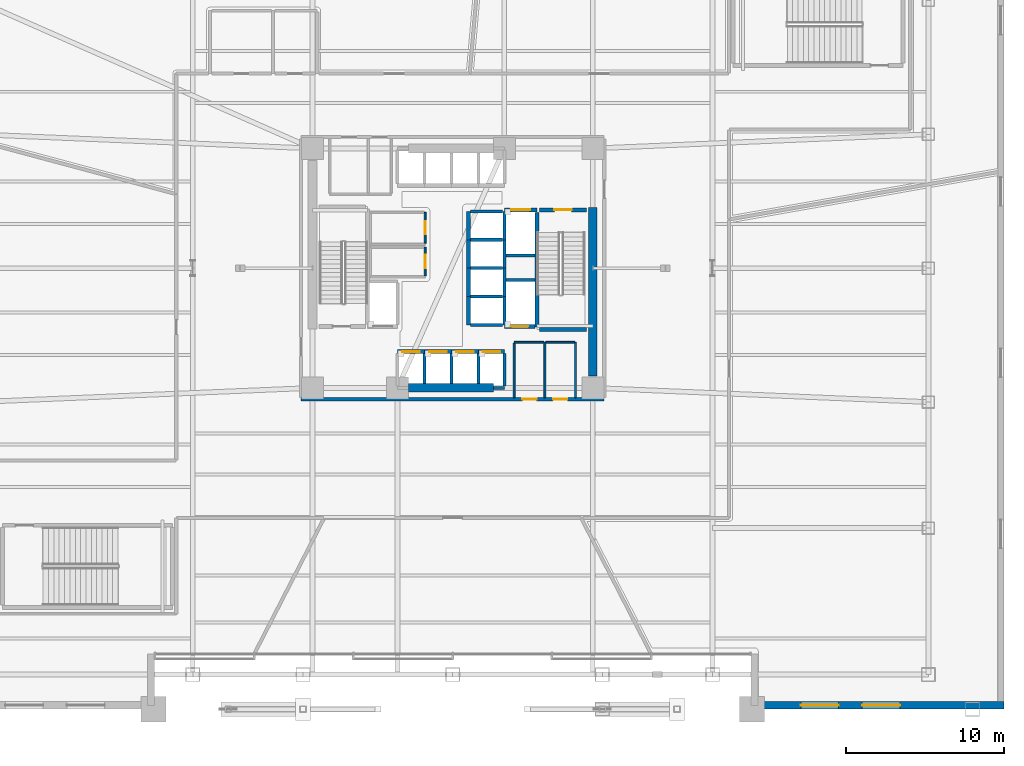
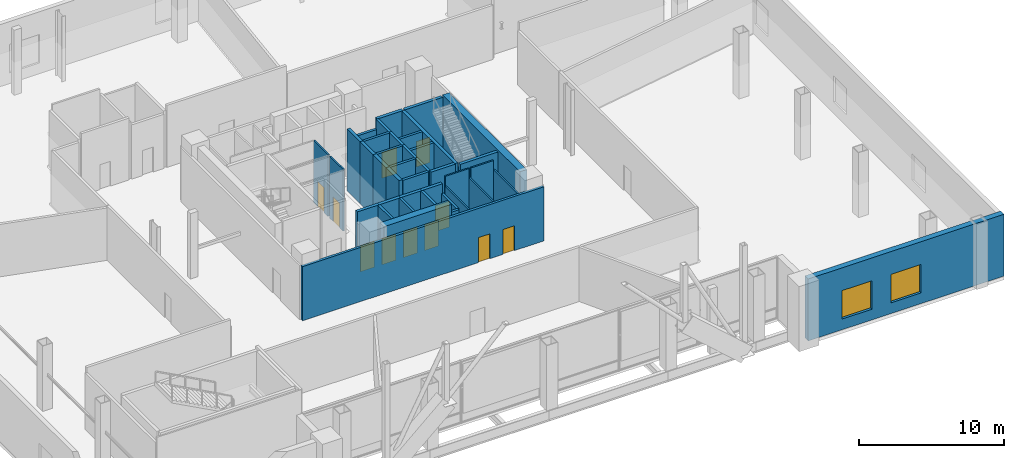
# One storey, part 9 of 16: 40 walls, 11 doors, 2 windows, 13 openings.
"""IFC4 building model written with IfcOpenShell, lengths in metres."""

from ifc_helpers import new_model, si_unit, direction, frame, frame_2d, origin, place, context, subcontext, project, spatial, rectangle, extrude, material, layer, layer_set, type_object, element, fill, save


model = new_model("IFC4")

# Units and contexts
model_context = context("Model", 3, precision=1e-05, world=origin(), true_north=direction((0.0, 1.0)))
body_context = subcontext(model_context, "Body", "Model", "MODEL_VIEW")
ifc_project = project(units=[si_unit("LENGTHUNIT", "METRE"), si_unit("AREAUNIT", "SQUARE_METRE"), si_unit("VOLUMEUNIT", "CUBIC_METRE"), si_unit("PLANEANGLEUNIT", "RADIAN"), si_unit("MASSUNIT", "GRAM", prefix="KILO")], contexts=[model_context])

# Site, building, storey
site_placement = place(None, origin())
site = spatial("IfcSite", under=ifc_project, at=site_placement, CompositionType="ELEMENT")
building_placement = place(site_placement, origin())
building = spatial("IfcBuilding", under=site, at=building_placement, Name="Tharavind Bronze Gate", CompositionType="ELEMENT")
storey_placement = place(building_placement, frame((0.0, 0.0, 5.5)))
storey = spatial("IfcBuildingStorey", under=building, at=storey_placement, Name="L01", CompositionType="ELEMENT", Elevation=5.5)

# Wall, openings, windows
ifc_material_1 = material(Name="Concrete C50/60", Category="concrete")
ifc_layer_1 = layer(ifc_material_1, 0.449951171875)
ifc_layer_set_1 = layer_set([ifc_layer_1], Name="Concrete C50/60")
wall_type_1 = type_object("IfcWallType", Name="EXTERIOR SPANDREL WALL 450", PredefinedType="STANDARD", material=ifc_layer_set_1)
wall_1_placement = place(storey_placement, frame((19.39990234375, -27.75, 0.0), z_axis=(0.0, 0.0, 1.0), x_axis=(1.0, 0.0, 0.0)))
wall_1 = element("IfcWall", 1, at=wall_1_placement, inside=storey, type_object=wall_type_1, Name="L01 south portal east flank wall", PredefinedType="STANDARD", context=body_context, shape_type="SweptSolid", body=[
    extrude(rectangle(XDim=15.60009765625, YDim=0.449951171875, at=frame_2d((7.800048828125, 0.0))), origin(), (0.0, 0.0, 1.0), 5.219970703125),
])
opening_1_placement = place(wall_1_placement, frame((2.699951171875, 0.0, 0.89990234375)))
opening_1 = element("IfcOpeningElement", 2, at=opening_1_placement, cuts=wall_1, Name="Opening W03", PredefinedType="OPENING", context=body_context, shape_type="SweptSolid", body=[
    extrude(rectangle(XDim=2.39990234375, YDim=2.39990234375, at=frame_2d((1.199951171875, 1.199951171875))), frame((0.0, 0.23509765625, 0.0), z_axis=(0.0, -1.0, 0.0), x_axis=(1.0, 0.0, 0.0)), (0.0, 0.0, 1.0), 0.469951171875),
])
opening_2_placement = place(wall_1_placement, frame((6.60009765625, 0.0, 0.89990234375)))
opening_2 = element("IfcOpeningElement", 3, at=opening_2_placement, cuts=wall_1, Name="Opening W03", PredefinedType="OPENING", context=body_context, shape_type="SweptSolid", body=[
    extrude(rectangle(XDim=2.39990234375, YDim=2.39990234375, at=frame_2d((1.199951171875, 1.199951171875))), frame((0.0, 0.23509765625, 0.0), z_axis=(0.0, -1.0, 0.0), x_axis=(1.0, 0.0, 0.0)), (0.0, 0.0, 1.0), 0.469951171875),
])
ifc_material_2 = material(Name="Bronze Aluminium & Low-E Glass", Category="aluminium")
window_type = type_object("IfcWindowType", Name="PODIUM RIBBON BRONZE WINDOW 2400X2400", PartitioningType="TRIPLE_PANEL_VERTICAL", PredefinedType="WINDOW", material=ifc_material_2)
window_1_placement = place(opening_1_placement, origin())
window_1 = element("IfcWindow", 4, at=window_1_placement, inside=storey, type_object=window_type, Name="L01 exterior window WL-L01-ARCHSR-01", OverallHeight=2.39990234375, OverallWidth=2.39990234375, PartitioningType="SINGLE_PANEL", PredefinedType="WINDOW", context=body_context, shape_type="SweptSolid", body=[
    extrude(rectangle(XDim=2.39990234375, YDim=2.39990234375, at=frame_2d((1.199951171875, 1.199951171875))), frame((0.0, 0.030029296875, 0.0), z_axis=(0.0, -1.0, 0.0), x_axis=(1.0, 0.0, 0.0)), (0.0, 0.0, 1.0), 0.06005859375),
])
fill(opening_1, window_1)
window_2_placement = place(opening_2_placement, origin())
window_2 = element("IfcWindow", 5, at=window_2_placement, inside=storey, type_object=window_type, Name="L01 exterior window WL-L01-ARCHSR-02", OverallHeight=2.39990234375, OverallWidth=2.39990234375, PartitioningType="SINGLE_PANEL", PredefinedType="WINDOW", context=body_context, shape_type="SweptSolid", body=[
    extrude(rectangle(XDim=2.39990234375, YDim=2.39990234375, at=frame_2d((1.199951171875, 1.199951171875))), frame((0.0, 0.030029296875, 0.0), z_axis=(0.0, -1.0, 0.0), x_axis=(1.0, 0.0, 0.0)), (0.0, 0.0, 1.0), 0.06005859375),
])
fill(opening_2, window_2)

# Wall, openings, doors
ifc_material_3 = material(Name="Aerated Concrete Block", Category="concrete")
ifc_layer_2 = layer(ifc_material_3, 0.199951171875)
ifc_layer_set_2 = layer_set([ifc_layer_2], Name="Aerated Concrete Block")
wall_type_2 = type_object("IfcWallType", Name="FIRE RATED PARTITION 200", PredefinedType="PARTITIONING", material=ifc_layer_set_2)
wall_2_placement = place(storey_placement, frame((-9.6201171875, -8.320068359375, 0.0), z_axis=(0.0, 0.0, 1.0), x_axis=(1.0, 0.0, 0.0)))
wall_2 = element("IfcWall", 6, at=wall_2_placement, inside=storey, type_object=wall_type_2, Name="L01 south core corridor wall", PredefinedType="PARTITIONING", context=body_context, shape_type="SweptSolid", body=[
    extrude(rectangle(XDim=19.240234375, YDim=0.199951171875, at=frame_2d((9.6201171875, 0.0))), origin(), (0.0, 0.0, 1.0), 4.56494140625),
])
opening_3_placement = place(wall_2_placement, frame((14.044921875, 0.0, 0.0)))
opening_3 = element("IfcOpeningElement", 7, at=opening_3_placement, cuts=wall_2, Name="Opening ID07", PredefinedType="OPENING", context=body_context, shape_type="SweptSolid", body=[
    extrude(rectangle(XDim=0.89990234375, YDim=2.10009765625, at=frame_2d((0.449951171875, 1.050048828125))), frame((0.0, 0.11009765625, 0.0), z_axis=(0.0, -1.0, 0.0), x_axis=(1.0, 0.0, 0.0)), (0.0, 0.0, 1.0), 0.219951171875),
])
opening_4_placement = place(wall_2_placement, frame((15.9951171875, 0.0, 0.0)))
opening_4 = element("IfcOpeningElement", 8, at=opening_4_placement, cuts=wall_2, Name="Opening ID07", PredefinedType="OPENING", context=body_context, shape_type="SweptSolid", body=[
    extrude(rectangle(XDim=0.89990234375, YDim=2.10009765625, at=frame_2d((0.449951171875, 1.050048828125))), frame((0.0, 0.11009765625, 0.0), z_axis=(0.0, -1.0, 0.0), x_axis=(1.0, 0.0, 0.0)), (0.0, 0.0, 1.0), 0.219951171875),
])
ifc_material_4 = material(Name="Galvanised Fire Steel", Category="steel")
door_type_1 = type_object("IfcDoorType", Name="PLANT AND RISER FIRE DOOR 900X2100", OperationType="SINGLE_SWING_LEFT", PredefinedType="DOOR", material=ifc_material_4)
door_1_placement = place(opening_3_placement, origin())
door_1 = element("IfcDoor", 9, at=door_1_placement, inside=storey, type_object=door_type_1, Name="L01 Comms Patch Room fire door", OperationType="SINGLE_SWING_LEFT", OverallHeight=2.10009765625, OverallWidth=0.89990234375, PredefinedType="DOOR", context=body_context, shape_type="SweptSolid", body=[
    extrude(rectangle(XDim=0.89990234375, YDim=2.10009765625, at=frame_2d((0.449951171875, 1.050048828125))), frame((0.0, 0.02490234375, 0.0), z_axis=(0.0, -1.0, 0.0), x_axis=(1.0, 0.0, 0.0)), (0.0, 0.0, 1.0), 0.050048828125),
])
fill(opening_3, door_1)
door_2_placement = place(opening_4_placement, origin())
door_2 = element("IfcDoor", 10, at=door_2_placement, inside=storey, type_object=door_type_1, Name="L01 Housekeeping Store fire door", OperationType="SINGLE_SWING_LEFT", OverallHeight=2.10009765625, OverallWidth=0.89990234375, PredefinedType="DOOR", context=body_context, shape_type="SweptSolid", body=[
    extrude(rectangle(XDim=0.89990234375, YDim=2.10009765625, at=frame_2d((0.449951171875, 1.050048828125))), frame((0.0, 0.02490234375, 0.0), z_axis=(0.0, -1.0, 0.0), x_axis=(1.0, 0.0, 0.0)), (0.0, 0.0, 1.0), 0.050048828125),
])
fill(opening_4, door_2)

# Wall, opening, door
ifc_material_5 = material(Name="Metal Stud Gypsum Partition", Category="gypsum")
ifc_layer_3 = layer(ifc_material_5, 0.1201171875)
ifc_layer_set_3 = layer_set([ifc_layer_3], Name="Metal Stud Gypsum Partition")
wall_type_3 = type_object("IfcWallType", Name="INTERIOR PARTITION WALL 120", PredefinedType="PARTITIONING", material=ifc_layer_set_3)
wall_3_placement = place(storey_placement, frame((-1.75, 1.5849609375, 0.0), z_axis=(0.0, 0.0, 1.0), x_axis=(0.0, 1.0, 0.0)))
wall_3 = element("IfcWall", 11, at=wall_3_placement, inside=storey, type_object=wall_type_3, Name="L01 Cleaner Store Room partition 2", PredefinedType="PARTITIONING", context=body_context, shape_type="SweptSolid", body=[
    extrude(rectangle(XDim=1.965087890625, YDim=0.1201171875, at=frame_2d((0.982421875, 0.0))), origin(), (0.0, 0.0, 1.0), 5.219970703125),
])
opening_5_placement = place(wall_3_placement, frame((0.556884765625, 0.0, 0.0)))
opening_5 = element("IfcOpeningElement", 12, at=opening_5_placement, cuts=wall_3, Name="Opening ID06", PredefinedType="OPENING", context=body_context, shape_type="SweptSolid", body=[
    extrude(rectangle(XDim=0.85009765625, YDim=2.10009765625, at=frame_2d((0.425048828125, 1.050048828125))), frame((0.0, 0.07005859375, 0.0), z_axis=(0.0, -1.0, 0.0), x_axis=(1.0, 0.0, 0.0)), (0.0, 0.0, 1.0), 0.1401171875),
])
ifc_material_6 = material(Name="Moisture-Resistant Timber", Category="wood")
door_type_2 = type_object("IfcDoorType", Name="BATHROOM PRIVACY DOOR 850X2100", OperationType="SINGLE_SWING_RIGHT", PredefinedType="DOOR", material=ifc_material_6)
door_3_placement = place(opening_5_placement, frame((0.85009765625, 0.0, 0.0), z_axis=(0.0, 0.0, 1.0), x_axis=(-1.0, 0.0, 0.0)))
door_3 = element("IfcDoor", 13, at=door_3_placement, inside=storey, type_object=door_type_2, Name="L01 Cleaner Store Room door", OperationType="SINGLE_SWING_RIGHT", OverallHeight=2.10009765625, OverallWidth=0.85009765625, PredefinedType="DOOR", context=body_context, shape_type="SweptSolid", body=[
    extrude(rectangle(XDim=0.85009765625, YDim=2.10009765625, at=frame_2d((0.425048828125, 1.050048828125))), frame((0.0, 0.02490234375, 0.0), z_axis=(0.0, -1.0, 0.0), x_axis=(1.0, 0.0, 0.0)), (0.0, 0.0, 1.0), 0.050048828125),
])
fill(opening_5, door_3)

wall_4_placement = place(storey_placement, frame((-1.75, -0.485107421875, 0.0), z_axis=(0.0, 0.0, 1.0), x_axis=(0.0, 1.0, 0.0)))
wall_4 = element("IfcWall", 14, at=wall_4_placement, inside=storey, type_object=wall_type_3, Name="L01 Electrical Switch Room partition 2", PredefinedType="PARTITIONING", context=body_context, shape_type="SweptSolid", body=[
    extrude(rectangle(XDim=1.8251953125, YDim=0.1201171875, at=frame_2d((0.91259765625, 0.0))), origin(), (0.0, 0.0, 1.0), 5.219970703125),
])
opening_6_placement = place(wall_4_placement, frame((0.488037109375, 0.0, 0.0)))
opening_6 = element("IfcOpeningElement", 15, at=opening_6_placement, cuts=wall_4, Name="Opening ID06", PredefinedType="OPENING", context=body_context, shape_type="SweptSolid", body=[
    extrude(rectangle(XDim=0.85009765625, YDim=2.10009765625, at=frame_2d((0.425048828125, 1.050048828125))), frame((0.0, 0.07005859375, 0.0), z_axis=(0.0, -1.0, 0.0), x_axis=(1.0, 0.0, 0.0)), (0.0, 0.0, 1.0), 0.1401171875),
])
door_4_placement = place(opening_6_placement, frame((0.85009765625, 0.0, 0.0), z_axis=(0.0, 0.0, 1.0), x_axis=(-1.0, 0.0, 0.0)))
door_4 = element("IfcDoor", 16, at=door_4_placement, inside=storey, type_object=door_type_2, Name="L01 Electrical Switch Room door", OperationType="SINGLE_SWING_RIGHT", OverallHeight=2.10009765625, OverallWidth=0.85009765625, PredefinedType="DOOR", context=body_context, shape_type="SweptSolid", body=[
    extrude(rectangle(XDim=0.85009765625, YDim=2.10009765625, at=frame_2d((0.425048828125, 1.050048828125))), frame((0.0, 0.02490234375, 0.0), z_axis=(0.0, -1.0, 0.0), x_axis=(1.0, 0.0, 0.0)), (0.0, 0.0, 1.0), 0.050048828125),
])
fill(opening_6, door_4)

# Walls
wall_5_placement = place(storey_placement, frame((5.85009765625, -8.215087890625, 0.0), z_axis=(0.0, 0.0, 1.0), x_axis=(0.0, 1.0, 0.0)))
element("IfcWall", 17, at=wall_5_placement, inside=storey, type_object=wall_type_3, Name="L01 Comms Patch Room partition 2", PredefinedType="PARTITIONING", context=body_context, shape_type="SweptSolid", body=[
    extrude(rectangle(XDim=3.51513671875, YDim=0.1201171875, at=frame_2d((1.757568359375, 0.0))), origin(), (0.0, 0.0, 1.0), 4.4150390625),
])
wall_6_placement = place(storey_placement, frame((5.784912109375, -4.699951171875, 0.0), z_axis=(0.0, 0.0, 1.0), x_axis=(-1.0, 0.0, 0.0)))
element("IfcWall", 18, at=wall_6_placement, inside=storey, type_object=wall_type_3, Name="L01 Comms Patch Room partition 3", PredefinedType="PARTITIONING", context=body_context, shape_type="SweptSolid", body=[
    extrude(rectangle(XDim=1.885009765625, YDim=0.1201171875, at=frame_2d((0.9423828125, 0.0))), origin(), (0.0, 0.0, 1.0), 5.219970703125),
])
wall_7_placement = place(storey_placement, frame((3.89990234375, -4.764892578125, 0.0), z_axis=(0.0, 0.0, 1.0), x_axis=(0.0, -1.0, 0.0)))
element("IfcWall", 19, at=wall_7_placement, inside=storey, type_object=wall_type_3, Name="L01 Comms Patch Room partition 4", PredefinedType="PARTITIONING", context=body_context, shape_type="SweptSolid", body=[
    extrude(rectangle(XDim=3.4501953125, YDim=0.1201171875, at=frame_2d((1.72509765625, 0.0))), origin(), (0.0, 0.0, 1.0), 4.4150390625),
])
wall_8_placement = place(storey_placement, frame((7.800048828125, -8.215087890625, 0.0), z_axis=(0.0, 0.0, 1.0), x_axis=(0.0, 1.0, 0.0)))
element("IfcWall", 20, at=wall_8_placement, inside=storey, type_object=wall_type_3, Name="L01 Housekeeping Store partition 2", PredefinedType="PARTITIONING", context=body_context, shape_type="SweptSolid", body=[
    extrude(rectangle(XDim=3.51513671875, YDim=0.1201171875, at=frame_2d((1.757568359375, 0.0))), origin(), (0.0, 0.0, 1.0), 4.4150390625),
])
wall_9_placement = place(storey_placement, frame((7.735107421875, -4.699951171875, 0.0), z_axis=(0.0, 0.0, 1.0), x_axis=(-1.0, 0.0, 0.0)))
element("IfcWall", 21, at=wall_9_placement, inside=storey, type_object=wall_type_3, Name="L01 Housekeeping Store partition 3", PredefinedType="PARTITIONING", context=body_context, shape_type="SweptSolid", body=[
    extrude(rectangle(XDim=1.820068359375, YDim=0.1201171875, at=frame_2d((0.91015625, 0.0))), origin(), (0.0, 0.0, 1.0), 5.219970703125),
])
ifc_layer_4 = layer(ifc_material_1, 0.25)
ifc_layer_set_4 = layer_set([ifc_layer_4], Name="Concrete C50/60")
wall_type_4 = type_object("IfcWallType", Name="RC CORE SHEAR WALL 250", PredefinedType="SHEAR", material=ifc_layer_set_4)
wall_10_placement = place(storey_placement, frame((5.35009765625, -3.75, 0.0), z_axis=(0.0, 0.0, 1.0), x_axis=(0.0, 1.0, 0.0)))
element("IfcWall", 22, at=wall_10_placement, inside=storey, type_object=wall_type_4, Name="L01 ST2 shaft west wall", PredefinedType="SHEAR", context=body_context, shape_type="SweptSolid", body=[
    extrude(rectangle(XDim=7.300048828125, YDim=0.25, at=frame_2d((3.64990234375, 0.0))), origin(), (0.0, 0.0, 1.0), 5.219970703125),
])

# Wall, opening, door
wall_11_placement = place(storey_placement, frame((5.5, 3.699951171875, 0.0), z_axis=(0.0, 0.0, 1.0), x_axis=(1.0, 0.0, 0.0)))
wall_11 = element("IfcWall", 23, at=wall_11_placement, inside=storey, type_object=wall_type_4, Name="L01 ST2 shaft north wall", PredefinedType="SHEAR", context=body_context, shape_type="SweptSolid", body=[
    extrude(rectangle(XDim=3.0, YDim=0.25, at=frame_2d((1.5, 0.0))), origin(), (0.0, 0.0, 1.0), 5.219970703125),
])
opening_7_placement = place(wall_11_placement, frame((0.949951171875, 0.0, 0.0)))
opening_7 = element("IfcOpeningElement", 24, at=opening_7_placement, cuts=wall_11, Name="Opening ID01", PredefinedType="OPENING", context=body_context, shape_type="SweptSolid", body=[
    extrude(rectangle(XDim=1.10009765625, YDim=2.14990234375, at=frame_2d((0.550048828125, 1.074951171875))), frame((0.0, 0.135, 0.0), z_axis=(0.0, -1.0, 0.0), x_axis=(1.0, 0.0, 0.0)), (0.0, 0.0, 1.0), 0.27),
])
ifc_material_7 = material(Name="Fire-Rated Steel", Category="steel")
door_type_3 = type_object("IfcDoorType", Name="STAIR CORE FIRE DOOR 1100X2150", OperationType="SINGLE_SWING_LEFT", PredefinedType="DOOR", material=ifc_material_7)
door_5_placement = place(opening_7_placement, frame((1.10009765625, 0.0, 0.0), z_axis=(0.0, 0.0, 1.0), x_axis=(-1.0, 0.0, 0.0)))
door_5 = element("IfcDoor", 25, at=door_5_placement, inside=storey, type_object=door_type_3, Name="L01 exit stair ST2 fire door", OperationType="SINGLE_SWING_LEFT", OverallHeight=2.14990234375, OverallWidth=1.10009765625, PredefinedType="DOOR", context=body_context, shape_type="SweptSolid", body=[
    extrude(rectangle(XDim=1.10009765625, YDim=2.14990234375, at=frame_2d((0.550048828125, 1.074951171875))), frame((0.0, 0.02490234375, 0.0), z_axis=(0.0, -1.0, 0.0), x_axis=(1.0, 0.0, 0.0)), (0.0, 0.0, 1.0), 0.050048828125),
])
fill(opening_7, door_5)

# Wall
wall_12_placement = place(storey_placement, frame((5.5, -3.89990234375, 0.0), z_axis=(0.0, 0.0, 1.0), x_axis=(1.0, 0.0, 0.0)))
element("IfcWall", 26, at=wall_12_placement, inside=storey, type_object=wall_type_4, Name="L01 ST2 shaft south wall", PredefinedType="SHEAR", context=body_context, shape_type="SweptSolid", body=[
    extrude(rectangle(XDim=3.0, YDim=0.25, at=frame_2d((1.5, 0.0))), origin(), (0.0, 0.0, 1.0), 5.219970703125),
])

# Wall, opening, door
wall_13_placement = place(storey_placement, frame((-3.5, -5.300048828125, 0.0), z_axis=(0.0, 0.0, 1.0), x_axis=(1.0, 0.0, 0.0)))
wall_13 = element("IfcWall", 27, at=wall_13_placement, inside=storey, type_object=wall_type_4, Name="L01 lift PL1 shaft front wall", PredefinedType="SHEAR", context=body_context, shape_type="SweptSolid", body=[
    extrude(rectangle(XDim=1.71240234375, YDim=0.25, at=frame_2d((0.856201171875, 0.0))), origin(), (0.0, 0.0, 1.0), 5.219970703125),
])
opening_8_placement = place(wall_13_placement, frame((0.305908203125, 0.0, 0.0)))
opening_8 = element("IfcOpeningElement", 28, at=opening_8_placement, cuts=wall_13, Name="Opening LD01", PredefinedType="OPENING", context=body_context, shape_type="SweptSolid", body=[
    extrude(rectangle(XDim=1.10009765625, YDim=2.199951171875, at=frame_2d((0.550048828125, 1.10009765625))), frame((0.0, 0.135, 0.0), z_axis=(0.0, -1.0, 0.0), x_axis=(1.0, 0.0, 0.0)), (0.0, 0.0, 1.0), 0.27),
])
ifc_material_8 = material(Name="Brushed Bronze Stainless Steel", Category="steel")
door_type_4 = type_object("IfcDoorType", Name="LIFT LANDING SLIDING DOOR 1100X2200", OperationType="SLIDING_TO_LEFT", PredefinedType="DOOR", material=ifc_material_8)
door_6_placement = place(opening_8_placement, origin())
door_6 = element("IfcDoor", 29, at=door_6_placement, inside=storey, type_object=door_type_4, Name="L01 lift PL1 sliding landing door", OperationType="SLIDING_TO_LEFT", OverallHeight=2.199951171875, OverallWidth=1.10009765625, PredefinedType="DOOR", context=body_context, shape_type="SweptSolid", body=[
    extrude(rectangle(XDim=1.10009765625, YDim=2.199951171875, at=frame_2d((0.550048828125, 1.10009765625))), frame((0.0, 0.02490234375, 0.0), z_axis=(0.0, -1.0, 0.0), x_axis=(1.0, 0.0, 0.0)), (0.0, 0.0, 1.0), 0.050048828125),
])
fill(opening_8, door_6)

wall_14_placement = place(storey_placement, frame((-1.78759765625, -5.300048828125, 0.0), z_axis=(0.0, 0.0, 1.0), x_axis=(1.0, 0.0, 0.0)))
wall_14 = element("IfcWall", 30, at=wall_14_placement, inside=storey, type_object=wall_type_4, Name="L01 lift PL2 shaft front wall", PredefinedType="SHEAR", context=body_context, shape_type="SweptSolid", body=[
    extrude(rectangle(XDim=1.712646484375, YDim=0.25, at=frame_2d((0.8564453125, 0.0))), origin(), (0.0, 0.0, 1.0), 5.219970703125),
])
opening_9_placement = place(wall_14_placement, frame((0.305908203125, 0.0, 0.0)))
opening_9 = element("IfcOpeningElement", 31, at=opening_9_placement, cuts=wall_14, Name="Opening LD01", PredefinedType="OPENING", context=body_context, shape_type="SweptSolid", body=[
    extrude(rectangle(XDim=1.10009765625, YDim=2.199951171875, at=frame_2d((0.550048828125, 1.10009765625))), frame((0.0, 0.135, 0.0), z_axis=(0.0, -1.0, 0.0), x_axis=(1.0, 0.0, 0.0)), (0.0, 0.0, 1.0), 0.27),
])
door_7_placement = place(opening_9_placement, origin())
door_7 = element("IfcDoor", 32, at=door_7_placement, inside=storey, type_object=door_type_4, Name="L01 lift PL2 sliding landing door", OperationType="SLIDING_TO_LEFT", OverallHeight=2.199951171875, OverallWidth=1.10009765625, PredefinedType="DOOR", context=body_context, shape_type="SweptSolid", body=[
    extrude(rectangle(XDim=1.10009765625, YDim=2.199951171875, at=frame_2d((0.550048828125, 1.10009765625))), frame((0.0, 0.02490234375, 0.0), z_axis=(0.0, -1.0, 0.0), x_axis=(1.0, 0.0, 0.0)), (0.0, 0.0, 1.0), 0.050048828125),
])
fill(opening_9, door_7)

wall_15_placement = place(storey_placement, frame((-0.074951171875, -5.300048828125, 0.0), z_axis=(0.0, 0.0, 1.0), x_axis=(1.0, 0.0, 0.0)))
wall_15 = element("IfcWall", 33, at=wall_15_placement, inside=storey, type_object=wall_type_4, Name="L01 lift PL3 shaft front wall", PredefinedType="SHEAR", context=body_context, shape_type="SweptSolid", body=[
    extrude(rectangle(XDim=1.71240234375, YDim=0.25, at=frame_2d((0.856201171875, 0.0))), origin(), (0.0, 0.0, 1.0), 5.219970703125),
])
opening_10_placement = place(wall_15_placement, frame((0.305908203125, 0.0, 0.0)))
opening_10 = element("IfcOpeningElement", 34, at=opening_10_placement, cuts=wall_15, Name="Opening LD01", PredefinedType="OPENING", context=body_context, shape_type="SweptSolid", body=[
    extrude(rectangle(XDim=1.10009765625, YDim=2.199951171875, at=frame_2d((0.550048828125, 1.10009765625))), frame((0.0, 0.135, 0.0), z_axis=(0.0, -1.0, 0.0), x_axis=(1.0, 0.0, 0.0)), (0.0, 0.0, 1.0), 0.27),
])
door_8_placement = place(opening_10_placement, origin())
door_8 = element("IfcDoor", 35, at=door_8_placement, inside=storey, type_object=door_type_4, Name="L01 lift PL3 sliding landing door", OperationType="SLIDING_TO_LEFT", OverallHeight=2.199951171875, OverallWidth=1.10009765625, PredefinedType="DOOR", context=body_context, shape_type="SweptSolid", body=[
    extrude(rectangle(XDim=1.10009765625, YDim=2.199951171875, at=frame_2d((0.550048828125, 1.10009765625))), frame((0.0, 0.02490234375, 0.0), z_axis=(0.0, -1.0, 0.0), x_axis=(1.0, 0.0, 0.0)), (0.0, 0.0, 1.0), 0.050048828125),
])
fill(opening_10, door_8)

wall_16_placement = place(storey_placement, frame((1.637451171875, -5.300048828125, 0.0), z_axis=(0.0, 0.0, 1.0), x_axis=(1.0, 0.0, 0.0)))
wall_16 = element("IfcWall", 36, at=wall_16_placement, inside=storey, type_object=wall_type_4, Name="L01 lift PL4 shaft front wall", PredefinedType="SHEAR", context=body_context, shape_type="SweptSolid", body=[
    extrude(rectangle(XDim=1.642578125, YDim=0.25, at=frame_2d((0.8212890625, 0.0))), origin(), (0.0, 0.0, 1.0), 5.219970703125),
])
opening_11_placement = place(wall_16_placement, frame((0.27099609375, 0.0, 0.0)))
opening_11 = element("IfcOpeningElement", 37, at=opening_11_placement, cuts=wall_16, Name="Opening LD01", PredefinedType="OPENING", context=body_context, shape_type="SweptSolid", body=[
    extrude(rectangle(XDim=1.10009765625, YDim=2.199951171875, at=frame_2d((0.550048828125, 1.10009765625))), frame((0.0, 0.135, 0.0), z_axis=(0.0, -1.0, 0.0), x_axis=(1.0, 0.0, 0.0)), (0.0, 0.0, 1.0), 0.27),
])
door_9_placement = place(opening_11_placement, origin())
door_9 = element("IfcDoor", 38, at=door_9_placement, inside=storey, type_object=door_type_4, Name="L01 lift PL4 sliding landing door", OperationType="SLIDING_TO_LEFT", OverallHeight=2.199951171875, OverallWidth=1.10009765625, PredefinedType="DOOR", context=body_context, shape_type="SweptSolid", body=[
    extrude(rectangle(XDim=1.10009765625, YDim=2.199951171875, at=frame_2d((0.550048828125, 1.10009765625))), frame((0.0, 0.02490234375, 0.0), z_axis=(0.0, -1.0, 0.0), x_axis=(1.0, 0.0, 0.0)), (0.0, 0.0, 1.0), 0.050048828125),
])
fill(opening_11, door_9)

# Walls
for number, where, z_axis, x_axis, name in (
    (39, (1.0, -3.60009765625, 0.0), (0.0, 0.0, 1.0), (0.0, 1.0, 0.0), "L01 lift PL9 shaft front wall"),
    (40, (1.0, -1.800048828125, 0.0), (0.0, 0.0, 1.0), (0.0, 1.0, 0.0), "L01 lift PL10 shaft front wall"),
    (41, (1.0, 0.0, 0.0), (0.0, 0.0, 1.0), (0.0, 1.0, 0.0), "L01 lift PL11 shaft front wall"),
    (42, (1.0, 1.800048828125, 0.0), (0.0, 0.0, 1.0), (0.0, 1.0, 0.0), "L01 lift PL12 shaft front wall"),
):
    element("IfcWall", number, at=place(storey_placement, frame(where, z_axis=z_axis, x_axis=x_axis)), inside=storey, type_object=wall_type_4, Name=name, PredefinedType="SHEAR", context=body_context, shape_type="SweptSolid", body=[
        extrude(rectangle(XDim=1.800048828125, YDim=0.25, at=frame_2d((0.89990234375, 0.0))), origin(), (0.0, 0.0, 1.0), 5.219970703125),
    ])

# Wall, opening, door
wall_17_placement = place(storey_placement, frame((3.280029296875, 3.699951171875, 0.0), z_axis=(0.0, 0.0, 1.0), x_axis=(1.0, 0.0, 0.0)))
wall_17 = element("IfcWall", 43, at=wall_17_placement, inside=storey, type_object=wall_type_4, Name="L01 lift FFL2 shaft front wall", PredefinedType="SHEAR", context=body_context, shape_type="SweptSolid", body=[
    extrude(rectangle(XDim=2.070068359375, YDim=0.25, at=frame_2d((1.03515625, 0.0))), origin(), (0.0, 0.0, 1.0), 5.219970703125),
])
opening_12_placement = place(wall_17_placement, frame((0.43505859375, 0.0, 0.0)))
opening_12 = element("IfcOpeningElement", 44, at=opening_12_placement, cuts=wall_17, Name="Opening LD02", PredefinedType="OPENING", context=body_context, shape_type="SweptSolid", body=[
    extrude(rectangle(XDim=1.199951171875, YDim=2.199951171875, at=frame_2d((0.60009765625, 1.10009765625))), frame((0.0, 0.135, 0.0), z_axis=(0.0, -1.0, 0.0), x_axis=(1.0, 0.0, 0.0)), (0.0, 0.0, 1.0), 0.27),
])
ifc_material_9 = material(Name="Brushed Stainless Steel", Category="steel")
door_type_5 = type_object("IfcDoorType", Name="FIREFIGHTING LIFT LANDING DOOR 1200X2200", OperationType="SLIDING_TO_RIGHT", PredefinedType="DOOR", material=ifc_material_9)
door_10_placement = place(opening_12_placement, origin())
door_10 = element("IfcDoor", 45, at=door_10_placement, inside=storey, type_object=door_type_5, Name="L01 lift FFL2 sliding landing door", OperationType="SLIDING_TO_RIGHT", OverallHeight=2.199951171875, OverallWidth=1.199951171875, PredefinedType="DOOR", context=body_context, shape_type="SweptSolid", body=[
    extrude(rectangle(XDim=1.199951171875, YDim=2.199951171875, at=frame_2d((0.60009765625, 1.10009765625))), frame((0.0, 0.02490234375, 0.0), z_axis=(0.0, -1.0, 0.0), x_axis=(1.0, 0.0, 0.0)), (0.0, 0.0, 1.0), 0.050048828125),
])
fill(opening_12, door_10)

wall_18_placement = place(storey_placement, frame((3.280029296875, -3.699951171875, 0.0), z_axis=(0.0, 0.0, 1.0), x_axis=(1.0, 0.0, 0.0)))
wall_18 = element("IfcWall", 46, at=wall_18_placement, inside=storey, type_object=wall_type_4, Name="L01 lift SVL1 shaft front wall", PredefinedType="SHEAR", context=body_context, shape_type="SweptSolid", body=[
    extrude(rectangle(XDim=1.93994140625, YDim=0.25, at=frame_2d((0.969970703125, 0.0))), origin(), (0.0, 0.0, 1.0), 5.219970703125),
])
opening_13_placement = place(wall_18_placement, frame((0.419921875, 0.0, 0.0)))
opening_13 = element("IfcOpeningElement", 47, at=opening_13_placement, cuts=wall_18, Name="Opening LD01", PredefinedType="OPENING", context=body_context, shape_type="SweptSolid", body=[
    extrude(rectangle(XDim=1.10009765625, YDim=2.199951171875, at=frame_2d((0.550048828125, 1.10009765625))), frame((0.0, 0.135, 0.0), z_axis=(0.0, -1.0, 0.0), x_axis=(1.0, 0.0, 0.0)), (0.0, 0.0, 1.0), 0.27),
])
door_11_placement = place(opening_13_placement, origin())
door_11 = element("IfcDoor", 48, at=door_11_placement, inside=storey, type_object=door_type_4, Name="L01 lift SVL1 sliding landing door", OperationType="SLIDING_TO_LEFT", OverallHeight=2.199951171875, OverallWidth=1.10009765625, PredefinedType="DOOR", context=body_context, shape_type="SweptSolid", body=[
    extrude(rectangle(XDim=1.10009765625, YDim=2.199951171875, at=frame_2d((0.550048828125, 1.10009765625))), frame((0.0, 0.02490234375, 0.0), z_axis=(0.0, -1.0, 0.0), x_axis=(1.0, 0.0, 0.0)), (0.0, 0.0, 1.0), 0.050048828125),
])
fill(opening_13, door_11)

# Walls
ifc_material_10 = material(Name="Concrete C60/75", Category="concrete")
ifc_layer_5 = layer(ifc_material_10, 0.550048828125)
ifc_layer_set_5 = layer_set([ifc_layer_5], Name="Concrete C60/75")
wall_type_5 = type_object("IfcWallType", Name="RC CORE SHEAR WALL 550", PredefinedType="SHEAR", material=ifc_layer_set_5)
wall_19_placement = place(storey_placement, frame((-2.800048828125, -7.60009765625, 0.0), z_axis=(0.0, 0.0, 1.0), x_axis=(1.0, 0.0, 0.0)))
element("IfcWall", 49, at=wall_19_placement, inside=storey, type_object=wall_type_5, Name="L01 south core shear wall", PredefinedType="SHEAR", context=body_context, shape_type="SweptSolid", body=[
    extrude(rectangle(XDim=5.380126953125, YDim=0.550048828125, at=frame_2d((2.68994140625, 0.0))), origin(), (0.0, 0.0, 1.0), 5.219970703125),
])
wall_20_placement = place(storey_placement, frame((8.89990234375, -6.85009765625, 0.0), z_axis=(0.0, 0.0, 1.0), x_axis=(0.0, 1.0, 0.0)))
element("IfcWall", 50, at=wall_20_placement, inside=storey, type_object=wall_type_5, Name="L01 east core shear wall", PredefinedType="SHEAR", context=body_context, shape_type="SweptSolid", body=[
    extrude(rectangle(XDim=10.7001953125, YDim=0.550048828125, at=frame_2d((5.35009765625, 0.0))), origin(), (0.0, 0.0, 1.0), 5.219970703125),
])
ifc_material_11 = material(Name="Concrete C40/50", Category="concrete")
ifc_layer_6 = layer(ifc_material_11, 0.199951171875)
ifc_layer_set_6 = layer_set([ifc_layer_6], Name="Concrete C40/50")
wall_type_6 = type_object("IfcWallType", Name="SHAFT ENCLOSURE WALL 200", PredefinedType="PARTITIONING", material=ifc_layer_set_6)
for number, where, z_axis, x_axis, name in (
    (51, (-1.78759765625, -7.320068359375, 0.0), (0.0, 0.0, 1.0), (0.0, 1.0, 0.0), "L01 lift PL1 shaft E enclosure wall"),
    (52, (-0.074951171875, -7.320068359375, 0.0), (0.0, 0.0, 1.0), (0.0, 1.0, 0.0), "L01 lift PL2 shaft E enclosure wall"),
    (53, (1.637451171875, -7.320068359375, 0.0), (0.0, 0.0, 1.0), (0.0, 1.0, 0.0), "L01 lift PL3 shaft E enclosure wall"),
):
    element("IfcWall", number, at=place(storey_placement, frame(where, z_axis=z_axis, x_axis=x_axis)), inside=storey, type_object=wall_type_6, Name=name, PredefinedType="PARTITIONING", context=body_context, shape_type="SweptSolid", body=[
        extrude(rectangle(XDim=1.89013671875, YDim=0.199951171875, at=frame_2d((0.945068359375, 0.0))), origin(), (0.0, 0.0, 1.0), 5.219970703125),
    ])
wall_21_placement = place(storey_placement, frame((2.580078125, -7.60009765625, 0.0), z_axis=(0.0, 0.0, 1.0), x_axis=(1.0, 0.0, 0.0)))
element("IfcWall", 54, at=wall_21_placement, inside=storey, type_object=wall_type_6, Name="L01 lift PL4 shaft S enclosure wall", PredefinedType="PARTITIONING", context=body_context, shape_type="SweptSolid", body=[
    extrude(rectangle(XDim=0.699951171875, YDim=0.199951171875, at=frame_2d((0.35009765625, 0.0))), origin(), (0.0, 0.0, 1.0), 4.4150390625),
])
wall_22_placement = place(storey_placement, frame((3.280029296875, -7.4951171875, 0.0), z_axis=(0.0, 0.0, 1.0), x_axis=(0.0, 1.0, 0.0)))
element("IfcWall", 55, at=wall_22_placement, inside=storey, type_object=wall_type_6, Name="L01 lift PL4 shaft E enclosure wall", PredefinedType="PARTITIONING", context=body_context, shape_type="SweptSolid", body=[
    extrude(rectangle(XDim=2.065185546875, YDim=0.199951171875, at=frame_2d((1.03271484375, 0.0))), origin(), (0.0, 0.0, 1.0), 4.4150390625),
])
wall_23_placement = place(storey_placement, frame((3.280029296875, -3.60009765625, 0.0), z_axis=(0.0, 0.0, 1.0), x_axis=(0.0, 1.0, 0.0)))
element("IfcWall", 56, at=wall_23_placement, inside=storey, type_object=wall_type_6, Name="L01 lift PL9 shaft E enclosure wall", PredefinedType="PARTITIONING", context=body_context, shape_type="SweptSolid", body=[
    extrude(rectangle(XDim=1.800048828125, YDim=0.199951171875, at=frame_2d((0.89990234375, 0.0))), origin(), (0.0, 0.0, 1.0), 5.219970703125),
])
for number, where, z_axis, x_axis, name in (
    (57, (1.1298828125, -3.60009765625, 0.0), (0.0, 0.0, 1.0), (1.0, 0.0, 0.0), "L01 lift PL9 shaft S enclosure wall"),
    (58, (1.1298828125, -1.800048828125, 0.0), (0.0, 0.0, 1.0), (1.0, 0.0, 0.0), "L01 lift PL9 shaft N enclosure wall"),
):
    element("IfcWall", number, at=place(storey_placement, frame(where, z_axis=z_axis, x_axis=x_axis)), inside=storey, type_object=wall_type_6, Name=name, PredefinedType="PARTITIONING", context=body_context, shape_type="SweptSolid", body=[
        extrude(rectangle(XDim=2.045166015625, YDim=0.199951171875, at=frame_2d((1.0224609375, 0.0))), origin(), (0.0, 0.0, 1.0), 5.219970703125),
    ])
wall_24_placement = place(storey_placement, frame((3.280029296875, -1.800048828125, 0.0), z_axis=(0.0, 0.0, 1.0), x_axis=(0.0, 1.0, 0.0)))
element("IfcWall", 59, at=wall_24_placement, inside=storey, type_object=wall_type_6, Name="L01 lift PL10 shaft E enclosure wall", PredefinedType="PARTITIONING", context=body_context, shape_type="SweptSolid", body=[
    extrude(rectangle(XDim=1.800048828125, YDim=0.199951171875, at=frame_2d((0.89990234375, 0.0))), origin(), (0.0, 0.0, 1.0), 5.219970703125),
])
wall_25_placement = place(storey_placement, frame((1.1298828125, 0.0, 0.0), z_axis=(0.0, 0.0, 1.0), x_axis=(1.0, 0.0, 0.0)))
element("IfcWall", 60, at=wall_25_placement, inside=storey, type_object=wall_type_6, Name="L01 lift PL10 shaft N enclosure wall", PredefinedType="PARTITIONING", context=body_context, shape_type="SweptSolid", body=[
    extrude(rectangle(XDim=2.045166015625, YDim=0.199951171875, at=frame_2d((1.0224609375, 0.0))), origin(), (0.0, 0.0, 1.0), 5.219970703125),
])
wall_26_placement = place(storey_placement, frame((3.280029296875, 0.0, 0.0), z_axis=(0.0, 0.0, 1.0), x_axis=(0.0, 1.0, 0.0)))
element("IfcWall", 61, at=wall_26_placement, inside=storey, type_object=wall_type_6, Name="L01 lift PL11 shaft E enclosure wall", PredefinedType="PARTITIONING", context=body_context, shape_type="SweptSolid", body=[
    extrude(rectangle(XDim=1.800048828125, YDim=0.199951171875, at=frame_2d((0.89990234375, 0.0))), origin(), (0.0, 0.0, 1.0), 5.219970703125),
])
wall_27_placement = place(storey_placement, frame((1.1298828125, 1.800048828125, 0.0), z_axis=(0.0, 0.0, 1.0), x_axis=(1.0, 0.0, 0.0)))
element("IfcWall", 62, at=wall_27_placement, inside=storey, type_object=wall_type_6, Name="L01 lift PL11 shaft N enclosure wall", PredefinedType="PARTITIONING", context=body_context, shape_type="SweptSolid", body=[
    extrude(rectangle(XDim=2.045166015625, YDim=0.199951171875, at=frame_2d((1.0224609375, 0.0))), origin(), (0.0, 0.0, 1.0), 5.219970703125),
])
wall_28_placement = place(storey_placement, frame((3.280029296875, 1.800048828125, 0.0), z_axis=(0.0, 0.0, 1.0), x_axis=(0.0, 1.0, 0.0)))
element("IfcWall", 63, at=wall_28_placement, inside=storey, type_object=wall_type_6, Name="L01 lift PL12 shaft E enclosure wall", PredefinedType="PARTITIONING", context=body_context, shape_type="SweptSolid", body=[
    extrude(rectangle(XDim=1.800048828125, YDim=0.199951171875, at=frame_2d((0.89990234375, 0.0))), origin(), (0.0, 0.0, 1.0), 5.219970703125),
])
wall_29_placement = place(storey_placement, frame((1.1298828125, 3.60009765625, 0.0), z_axis=(0.0, 0.0, 1.0), x_axis=(1.0, 0.0, 0.0)))
element("IfcWall", 64, at=wall_29_placement, inside=storey, type_object=wall_type_6, Name="L01 lift PL12 shaft N enclosure wall", PredefinedType="PARTITIONING", context=body_context, shape_type="SweptSolid", body=[
    extrude(rectangle(XDim=2.045166015625, YDim=0.199951171875, at=frame_2d((1.0224609375, 0.0))), origin(), (0.0, 0.0, 1.0), 4.4150390625),
])
for number, where, z_axis, x_axis, name in (
    (65, (3.385009765625, 0.800048828125, 0.0), (0.0, 0.0, 1.0), (1.0, 0.0, 0.0), "L01 lift FFL2 shaft S enclosure wall"),
    (66, (3.385009765625, -0.75, 0.0), (0.0, 0.0, 1.0), (1.0, 0.0, 0.0), "L01 lift SVL1 shaft N enclosure wall"),
):
    element("IfcWall", number, at=place(storey_placement, frame(where, z_axis=z_axis, x_axis=x_axis)), inside=storey, type_object=wall_type_6, Name=name, PredefinedType="PARTITIONING", context=body_context, shape_type="SweptSolid", body=[
        extrude(rectangle(XDim=1.8349609375, YDim=0.199951171875, at=frame_2d((0.91748046875, 0.0))), origin(), (0.0, 0.0, 1.0), 5.219970703125),
    ])

save(model, "model.ifc")
